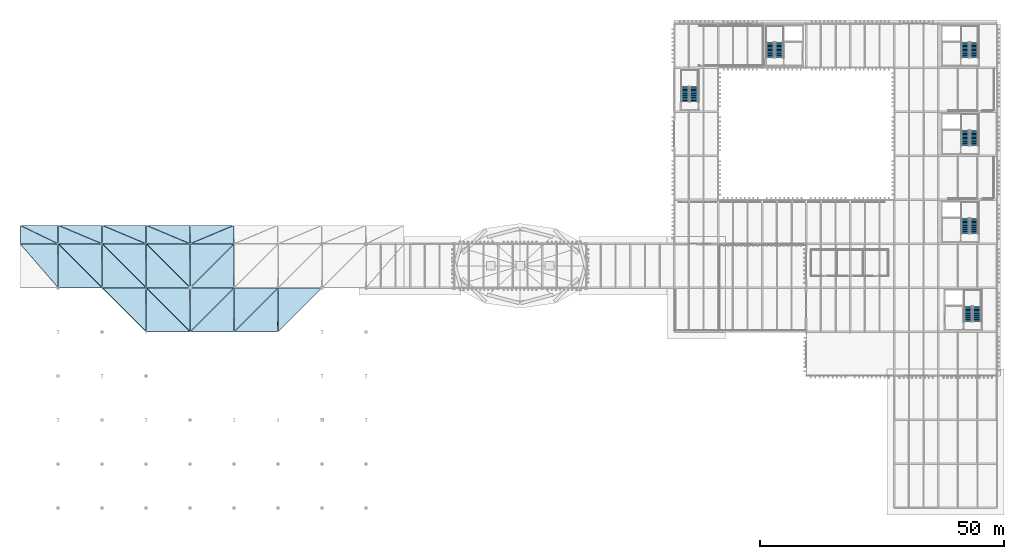
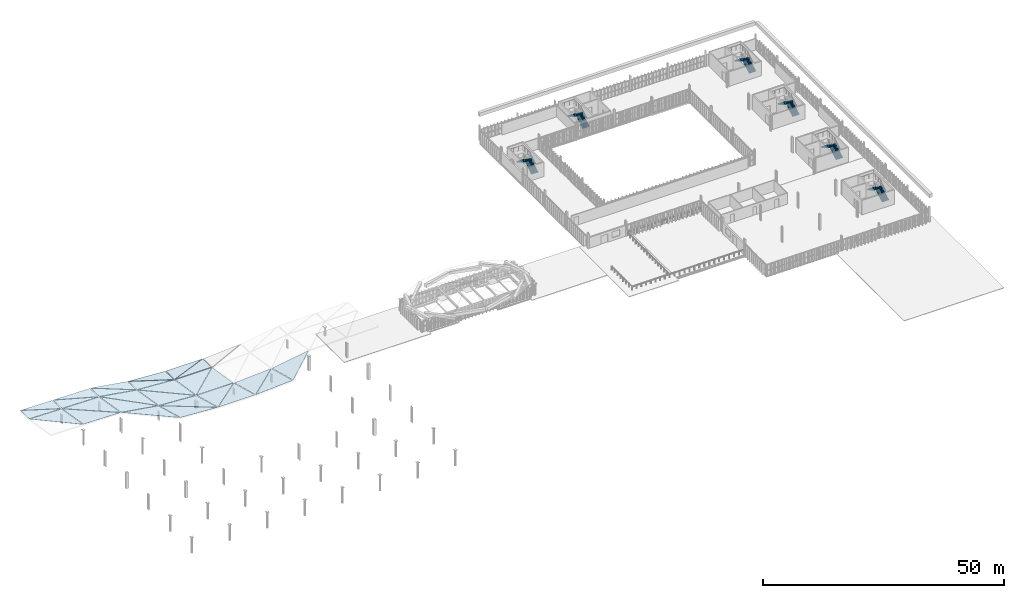
# One storey, part 92 of 102: 27 roofs, 12 stair flights, 6 elements without a shape of their own.
"""IFC4 building model written with IfcOpenShell, lengths in metres."""

from ifc_helpers import new_model, si_unit, direction, frame, origin, place, context, subcontext, project, spatial, polyline, outline, extrude, material, layer, layer_set, type_object, element, aggregate, save


model = new_model("IFC4")

# Units and contexts
model_context = context("Model", 3, precision=1e-05, world=origin(), true_north=direction((0.0, 1.0)))
body_context = subcontext(model_context, "Body", "Model", "MODEL_VIEW")
ifc_project = project(units=[si_unit("LENGTHUNIT", "METRE"), si_unit("AREAUNIT", "SQUARE_METRE"), si_unit("VOLUMEUNIT", "CUBIC_METRE"), si_unit("PLANEANGLEUNIT", "RADIAN"), si_unit("MASSUNIT", "GRAM", prefix="KILO")], contexts=[model_context])

# Site, building, storey
site_placement = place(None, origin())
site = spatial("IfcSite", under=ifc_project, at=site_placement, CompositionType="ELEMENT")
building_placement = place(site_placement, origin())
building = spatial("IfcBuilding", under=site, at=building_placement, Name="Barlavento Convention Centre", CompositionType="ELEMENT")
storey_placement = place(building_placement, frame((0.0, 0.0, 22.800048828125)))
storey = spatial("IfcBuildingStorey", under=building, at=storey_placement, Name="L04", CompositionType="ELEMENT", Elevation=22.800048828125)

# Stair, stair flights
ifc_material_1 = material(Name="Concrete C40/50", Category="concrete")
stair_type_1 = type_object("IfcStairType", Name="ARC-STR-DOG-1600", PredefinedType="HALF_TURN_STAIR", material=ifc_material_1)
stair_1_placement = place(storey_placement, origin())
stair_1 = element("IfcStair", 1, at=stair_1_placement, inside=storey, type_object=stair_type_1, Name="L04 ST12", PredefinedType="HALF_TURN_STAIR")
stair_flight_type_1 = type_object("IfcStairFlightType", Name="ARC-FLT-STR-1600", PredefinedType="STRAIGHT", material=ifc_material_1)
stair_flight_1_placement = place(storey_placement, frame((130.050048828125, 83.070068359375, 0.0), z_axis=(0.0, 0.0, 1.0), x_axis=(0.0, 1.0, 0.0)))
stair_flight_1 = element("IfcStairFlight", 2, at=stair_flight_1_placement, type_object=stair_flight_type_1, Name="ST12 flight 1", NumberOfRisers=12, NumberOfTreads=11, PredefinedType="STRAIGHT", RiserHeight=0.166666667, TreadLength=0.28, context=body_context, shape_type="SweptSolid", body=[
    extrude(outline(polyline([(0.0, 0.0), (0.0, 0.166748046875), (0.280029296875, 0.166748046875), (0.280029296875, 0.333251953125), (0.56005859375, 0.333251953125), (0.56005859375, 0.5), (0.840087890625, 0.5), (0.840087890625, 0.666748046875), (1.1201171875, 0.666748046875), (1.1201171875, 0.833251953125), (1.39990234375, 0.833251953125), (1.39990234375, 1.0), (1.679931640625, 1.0), (1.679931640625, 1.166748046875), (1.9599609375, 1.166748046875), (1.9599609375, 1.333251953125), (2.239990234375, 1.333251953125), (2.239990234375, 1.5), (2.52001953125, 1.5), (2.52001953125, 1.666748046875), (2.800048828125, 1.666748046875), (2.800048828125, 1.833251953125), (3.080078125, 1.833251953125), (3.080078125, 2.0), (3.080078125, 1.658935546875), (0.29296875, 0.0), (0.0, 0.0)])), frame((0.0, 0.800048828125, 0.0), z_axis=(0.0, -1.0, 0.0), x_axis=(1.0, 0.0, 0.0)), (0.0, 0.0, 1.0), 1.60009765625),
])
stair_flight_2_placement = place(storey_placement, frame((128.25, 86.14990234375, 2.0), z_axis=(0.0, 0.0, 1.0), x_axis=(0.0, -1.0, 0.0)))
stair_flight_2 = element("IfcStairFlight", 3, at=stair_flight_2_placement, type_object=stair_flight_type_1, Name="ST12 flight 2", NumberOfRisers=12, NumberOfTreads=11, PredefinedType="STRAIGHT", RiserHeight=0.166666667, TreadLength=0.28, context=body_context, shape_type="SweptSolid", body=[
    extrude(outline(polyline([(0.0, 0.0), (0.0, 0.166748046875), (0.280029296875, 0.166748046875), (0.280029296875, 0.333251953125), (0.56005859375, 0.333251953125), (0.56005859375, 0.5), (0.840087890625, 0.5), (0.840087890625, 0.666748046875), (1.1201171875, 0.666748046875), (1.1201171875, 0.833251953125), (1.39990234375, 0.833251953125), (1.39990234375, 1.0), (1.679931640625, 1.0), (1.679931640625, 1.166748046875), (1.9599609375, 1.166748046875), (1.9599609375, 1.333251953125), (2.239990234375, 1.333251953125), (2.239990234375, 1.5), (2.52001953125, 1.5), (2.52001953125, 1.666748046875), (2.800048828125, 1.666748046875), (2.800048828125, 1.833251953125), (3.080078125, 1.833251953125), (3.080078125, 2.0), (3.080078125, 1.658935546875), (0.29296875, 0.0), (0.0, 0.0)])), frame((0.0, 0.800048828125, 0.0), z_axis=(0.0, -1.0, 0.0), x_axis=(1.0, 0.0, 0.0)), (0.0, 0.0, 1.0), 1.60009765625),
])
aggregate(stair_1, [stair_flight_1, stair_flight_2])

stair_type_2 = type_object("IfcStairType", Name="ARC-STR-DOG-1620", PredefinedType="HALF_TURN_STAIR", material=ifc_material_1)
stair_2_placement = place(storey_placement, origin())
stair_2 = element("IfcStair", 4, at=stair_2_placement, inside=storey, type_object=stair_type_2, Name="L04 ST05", PredefinedType="HALF_TURN_STAIR")
stair_flight_type_2 = type_object("IfcStairFlightType", Name="ARC-FLT-STR-1620", PredefinedType="STRAIGHT", material=ifc_material_1)
stair_flight_3_placement = place(storey_placement, frame((187.340087890625, 56.090087890625, 0.0), z_axis=(0.0, 0.0, 1.0), x_axis=(0.0, 1.0, 0.0)))
stair_flight_3 = element("IfcStairFlight", 5, at=stair_flight_3_placement, type_object=stair_flight_type_2, Name="ST05 flight 1", NumberOfRisers=12, NumberOfTreads=11, PredefinedType="STRAIGHT", RiserHeight=0.166666667, TreadLength=0.28, context=body_context, shape_type="SweptSolid", body=[
    extrude(outline(polyline([(0.0, 0.0), (0.0, 0.166748046875), (0.280029296875, 0.166748046875), (0.280029296875, 0.333251953125), (0.56005859375, 0.333251953125), (0.56005859375, 0.5), (0.840087890625, 0.5), (0.840087890625, 0.666748046875), (1.1201171875, 0.666748046875), (1.1201171875, 0.833251953125), (1.39990234375, 0.833251953125), (1.39990234375, 1.0), (1.679931640625, 1.0), (1.679931640625, 1.166748046875), (1.9599609375, 1.166748046875), (1.9599609375, 1.333251953125), (2.239990234375, 1.333251953125), (2.239990234375, 1.5), (2.52001953125, 1.5), (2.52001953125, 1.666748046875), (2.800048828125, 1.666748046875), (2.800048828125, 1.833251953125), (3.080078125, 1.833251953125), (3.080078125, 2.0), (3.080078125, 1.658935546875), (0.29296875, 0.0), (0.0, 0.0)])), frame((0.0, 0.81005859375, 0.0), z_axis=(0.0, -1.0, 0.0), x_axis=(1.0, 0.0, 0.0)), (0.0, 0.0, 1.0), 1.6201171875),
])
stair_flight_4_placement = place(storey_placement, frame((185.52001953125, 59.169921875, 2.0), z_axis=(0.0, 0.0, 1.0), x_axis=(0.0, -1.0, 0.0)))
stair_flight_4 = element("IfcStairFlight", 6, at=stair_flight_4_placement, type_object=stair_flight_type_2, Name="ST05 flight 2", NumberOfRisers=12, NumberOfTreads=11, PredefinedType="STRAIGHT", RiserHeight=0.166666667, TreadLength=0.28, context=body_context, shape_type="SweptSolid", body=[
    extrude(outline(polyline([(0.0, 0.0), (0.0, 0.166748046875), (0.280029296875, 0.166748046875), (0.280029296875, 0.333251953125), (0.56005859375, 0.333251953125), (0.56005859375, 0.5), (0.840087890625, 0.5), (0.840087890625, 0.666748046875), (1.1201171875, 0.666748046875), (1.1201171875, 0.833251953125), (1.39990234375, 0.833251953125), (1.39990234375, 1.0), (1.679931640625, 1.0), (1.679931640625, 1.166748046875), (1.9599609375, 1.166748046875), (1.9599609375, 1.333251953125), (2.239990234375, 1.333251953125), (2.239990234375, 1.5), (2.52001953125, 1.5), (2.52001953125, 1.666748046875), (2.800048828125, 1.666748046875), (2.800048828125, 1.833251953125), (3.080078125, 1.833251953125), (3.080078125, 2.0), (3.080078125, 1.658935546875), (0.29296875, 0.0), (0.0, 0.0)])), frame((0.0, 0.81005859375, 0.0), z_axis=(0.0, -1.0, 0.0), x_axis=(1.0, 0.0, 0.0)), (0.0, 0.0, 1.0), 1.6201171875),
])
aggregate(stair_2, [stair_flight_3, stair_flight_4])

stair_3_placement = place(storey_placement, origin())
stair_3 = element("IfcStair", 7, at=stair_3_placement, inside=storey, type_object=stair_type_2, Name="L04 ST06", PredefinedType="HALF_TURN_STAIR")
stair_flight_5_placement = place(storey_placement, frame((187.93994140625, 38.090087890625, 0.0), z_axis=(0.0, 0.0, 1.0), x_axis=(0.0, 1.0, 0.0)))
stair_flight_5 = element("IfcStairFlight", 8, at=stair_flight_5_placement, type_object=stair_flight_type_2, Name="ST06 flight 1", NumberOfRisers=12, NumberOfTreads=11, PredefinedType="STRAIGHT", RiserHeight=0.166666667, TreadLength=0.28, context=body_context, shape_type="SweptSolid", body=[
    extrude(outline(polyline([(0.0, 0.0), (0.0, 0.166748046875), (0.280029296875, 0.166748046875), (0.280029296875, 0.333251953125), (0.56005859375, 0.333251953125), (0.56005859375, 0.5), (0.840087890625, 0.5), (0.840087890625, 0.666748046875), (1.1201171875, 0.666748046875), (1.1201171875, 0.833251953125), (1.39990234375, 0.833251953125), (1.39990234375, 1.0), (1.679931640625, 1.0), (1.679931640625, 1.166748046875), (1.9599609375, 1.166748046875), (1.9599609375, 1.333251953125), (2.239990234375, 1.333251953125), (2.239990234375, 1.5), (2.52001953125, 1.5), (2.52001953125, 1.666748046875), (2.800048828125, 1.666748046875), (2.800048828125, 1.833251953125), (3.080078125, 1.833251953125), (3.080078125, 2.0), (3.080078125, 1.658935546875), (0.29296875, 0.0), (0.0, 0.0)])), frame((0.0, 0.81005859375, 0.0), z_axis=(0.0, -1.0, 0.0), x_axis=(1.0, 0.0, 0.0)), (0.0, 0.0, 1.0), 1.6201171875),
])
stair_flight_6_placement = place(storey_placement, frame((186.1201171875, 41.169921875, 2.0), z_axis=(0.0, 0.0, 1.0), x_axis=(0.0, -1.0, 0.0)))
stair_flight_6 = element("IfcStairFlight", 9, at=stair_flight_6_placement, type_object=stair_flight_type_2, Name="ST06 flight 2", NumberOfRisers=12, NumberOfTreads=11, PredefinedType="STRAIGHT", RiserHeight=0.166666667, TreadLength=0.28, context=body_context, shape_type="SweptSolid", body=[
    extrude(outline(polyline([(0.0, 0.0), (0.0, 0.166748046875), (0.280029296875, 0.166748046875), (0.280029296875, 0.333251953125), (0.56005859375, 0.333251953125), (0.56005859375, 0.5), (0.840087890625, 0.5), (0.840087890625, 0.666748046875), (1.1201171875, 0.666748046875), (1.1201171875, 0.833251953125), (1.39990234375, 0.833251953125), (1.39990234375, 1.0), (1.679931640625, 1.0), (1.679931640625, 1.166748046875), (1.9599609375, 1.166748046875), (1.9599609375, 1.333251953125), (2.239990234375, 1.333251953125), (2.239990234375, 1.5), (2.52001953125, 1.5), (2.52001953125, 1.666748046875), (2.800048828125, 1.666748046875), (2.800048828125, 1.833251953125), (3.080078125, 1.833251953125), (3.080078125, 2.0), (3.080078125, 1.658935546875), (0.29296875, 0.0), (0.0, 0.0)])), frame((0.0, 0.81005859375, 0.0), z_axis=(0.0, -1.0, 0.0), x_axis=(1.0, 0.0, 0.0)), (0.0, 0.0, 1.0), 1.6201171875),
])
aggregate(stair_3, [stair_flight_5, stair_flight_6])

stair_4_placement = place(storey_placement, origin())
stair_4 = element("IfcStair", 10, at=stair_4_placement, inside=storey, type_object=stair_type_2, Name="L04 ST07", PredefinedType="HALF_TURN_STAIR")
stair_flight_7_placement = place(storey_placement, frame((187.340087890625, 74.090087890625, 0.0), z_axis=(0.0, 0.0, 1.0), x_axis=(0.0, 1.0, 0.0)))
stair_flight_7 = element("IfcStairFlight", 11, at=stair_flight_7_placement, type_object=stair_flight_type_2, Name="ST07 flight 1", NumberOfRisers=12, NumberOfTreads=11, PredefinedType="STRAIGHT", RiserHeight=0.166666667, TreadLength=0.28, context=body_context, shape_type="SweptSolid", body=[
    extrude(outline(polyline([(0.0, 0.0), (0.0, 0.166748046875), (0.280029296875, 0.166748046875), (0.280029296875, 0.333251953125), (0.56005859375, 0.333251953125), (0.56005859375, 0.5), (0.840087890625, 0.5), (0.840087890625, 0.666748046875), (1.1201171875, 0.666748046875), (1.1201171875, 0.833251953125), (1.39990234375, 0.833251953125), (1.39990234375, 1.0), (1.679931640625, 1.0), (1.679931640625, 1.166748046875), (1.9599609375, 1.166748046875), (1.9599609375, 1.333251953125), (2.239990234375, 1.333251953125), (2.239990234375, 1.5), (2.52001953125, 1.5), (2.52001953125, 1.666748046875), (2.800048828125, 1.666748046875), (2.800048828125, 1.833251953125), (3.080078125, 1.833251953125), (3.080078125, 2.0), (3.080078125, 1.658935546875), (0.29296875, 0.0), (0.0, 0.0)])), frame((0.0, 0.81005859375, 0.0), z_axis=(0.0, -1.0, 0.0), x_axis=(1.0, 0.0, 0.0)), (0.0, 0.0, 1.0), 1.6201171875),
])
stair_flight_8_placement = place(storey_placement, frame((185.52001953125, 77.169921875, 2.0), z_axis=(0.0, 0.0, 1.0), x_axis=(0.0, -1.0, 0.0)))
stair_flight_8 = element("IfcStairFlight", 12, at=stair_flight_8_placement, type_object=stair_flight_type_2, Name="ST07 flight 2", NumberOfRisers=12, NumberOfTreads=11, PredefinedType="STRAIGHT", RiserHeight=0.166666667, TreadLength=0.28, context=body_context, shape_type="SweptSolid", body=[
    extrude(outline(polyline([(0.0, 0.0), (0.0, 0.166748046875), (0.280029296875, 0.166748046875), (0.280029296875, 0.333251953125), (0.56005859375, 0.333251953125), (0.56005859375, 0.5), (0.840087890625, 0.5), (0.840087890625, 0.666748046875), (1.1201171875, 0.666748046875), (1.1201171875, 0.833251953125), (1.39990234375, 0.833251953125), (1.39990234375, 1.0), (1.679931640625, 1.0), (1.679931640625, 1.166748046875), (1.9599609375, 1.166748046875), (1.9599609375, 1.333251953125), (2.239990234375, 1.333251953125), (2.239990234375, 1.5), (2.52001953125, 1.5), (2.52001953125, 1.666748046875), (2.800048828125, 1.666748046875), (2.800048828125, 1.833251953125), (3.080078125, 1.833251953125), (3.080078125, 2.0), (3.080078125, 1.658935546875), (0.29296875, 0.0), (0.0, 0.0)])), frame((0.0, 0.81005859375, 0.0), z_axis=(0.0, -1.0, 0.0), x_axis=(1.0, 0.0, 0.0)), (0.0, 0.0, 1.0), 1.6201171875),
])
aggregate(stair_4, [stair_flight_7, stair_flight_8])

stair_5_placement = place(storey_placement, origin())
stair_5 = element("IfcStair", 13, at=stair_5_placement, inside=storey, type_object=stair_type_2, Name="L04 ST08", PredefinedType="HALF_TURN_STAIR")
stair_flight_9_placement = place(storey_placement, frame((187.340087890625, 92.090087890625, 0.0), z_axis=(0.0, 0.0, 1.0), x_axis=(0.0, 1.0, 0.0)))
stair_flight_9 = element("IfcStairFlight", 14, at=stair_flight_9_placement, type_object=stair_flight_type_2, Name="ST08 flight 1", NumberOfRisers=12, NumberOfTreads=11, PredefinedType="STRAIGHT", RiserHeight=0.166666667, TreadLength=0.28, context=body_context, shape_type="SweptSolid", body=[
    extrude(outline(polyline([(0.0, 0.0), (0.0, 0.166748046875), (0.280029296875, 0.166748046875), (0.280029296875, 0.333251953125), (0.56005859375, 0.333251953125), (0.56005859375, 0.5), (0.840087890625, 0.5), (0.840087890625, 0.666748046875), (1.1201171875, 0.666748046875), (1.1201171875, 0.833251953125), (1.39990234375, 0.833251953125), (1.39990234375, 1.0), (1.679931640625, 1.0), (1.679931640625, 1.166748046875), (1.9599609375, 1.166748046875), (1.9599609375, 1.333251953125), (2.239990234375, 1.333251953125), (2.239990234375, 1.5), (2.52001953125, 1.5), (2.52001953125, 1.666748046875), (2.800048828125, 1.666748046875), (2.800048828125, 1.833251953125), (3.080078125, 1.833251953125), (3.080078125, 2.0), (3.080078125, 1.658935546875), (0.29296875, 0.0), (0.0, 0.0)])), frame((0.0, 0.81005859375, 0.0), z_axis=(0.0, -1.0, 0.0), x_axis=(1.0, 0.0, 0.0)), (0.0, 0.0, 1.0), 1.6201171875),
])
stair_flight_10_placement = place(storey_placement, frame((185.52001953125, 95.169921875, 2.0), z_axis=(0.0, 0.0, 1.0), x_axis=(0.0, -1.0, 0.0)))
stair_flight_10 = element("IfcStairFlight", 15, at=stair_flight_10_placement, type_object=stair_flight_type_2, Name="ST08 flight 2", NumberOfRisers=12, NumberOfTreads=11, PredefinedType="STRAIGHT", RiserHeight=0.166666667, TreadLength=0.28, context=body_context, shape_type="SweptSolid", body=[
    extrude(outline(polyline([(0.0, 0.0), (0.0, 0.166748046875), (0.280029296875, 0.166748046875), (0.280029296875, 0.333251953125), (0.56005859375, 0.333251953125), (0.56005859375, 0.5), (0.840087890625, 0.5), (0.840087890625, 0.666748046875), (1.1201171875, 0.666748046875), (1.1201171875, 0.833251953125), (1.39990234375, 0.833251953125), (1.39990234375, 1.0), (1.679931640625, 1.0), (1.679931640625, 1.166748046875), (1.9599609375, 1.166748046875), (1.9599609375, 1.333251953125), (2.239990234375, 1.333251953125), (2.239990234375, 1.5), (2.52001953125, 1.5), (2.52001953125, 1.666748046875), (2.800048828125, 1.666748046875), (2.800048828125, 1.833251953125), (3.080078125, 1.833251953125), (3.080078125, 2.0), (3.080078125, 1.658935546875), (0.29296875, 0.0), (0.0, 0.0)])), frame((0.0, 0.81005859375, 0.0), z_axis=(0.0, -1.0, 0.0), x_axis=(1.0, 0.0, 0.0)), (0.0, 0.0, 1.0), 1.6201171875),
])
aggregate(stair_5, [stair_flight_9, stair_flight_10])

stair_6_placement = place(storey_placement, origin())
stair_6 = element("IfcStair", 16, at=stair_6_placement, inside=storey, type_object=stair_type_2, Name="L04 ST09", PredefinedType="HALF_TURN_STAIR")
stair_flight_11_placement = place(storey_placement, frame((147.47998046875, 92.090087890625, 0.0), z_axis=(0.0, 0.0, 1.0), x_axis=(0.0, 1.0, 0.0)))
stair_flight_11 = element("IfcStairFlight", 17, at=stair_flight_11_placement, type_object=stair_flight_type_2, Name="ST09 flight 1", NumberOfRisers=12, NumberOfTreads=11, PredefinedType="STRAIGHT", RiserHeight=0.166666667, TreadLength=0.28, context=body_context, shape_type="SweptSolid", body=[
    extrude(outline(polyline([(0.0, 0.0), (0.0, 0.166748046875), (0.280029296875, 0.166748046875), (0.280029296875, 0.333251953125), (0.56005859375, 0.333251953125), (0.56005859375, 0.5), (0.840087890625, 0.5), (0.840087890625, 0.666748046875), (1.1201171875, 0.666748046875), (1.1201171875, 0.833251953125), (1.39990234375, 0.833251953125), (1.39990234375, 1.0), (1.679931640625, 1.0), (1.679931640625, 1.166748046875), (1.9599609375, 1.166748046875), (1.9599609375, 1.333251953125), (2.239990234375, 1.333251953125), (2.239990234375, 1.5), (2.52001953125, 1.5), (2.52001953125, 1.666748046875), (2.800048828125, 1.666748046875), (2.800048828125, 1.833251953125), (3.080078125, 1.833251953125), (3.080078125, 2.0), (3.080078125, 1.658935546875), (0.29296875, 0.0), (0.0, 0.0)])), frame((0.0, 0.81005859375, 0.0), z_axis=(0.0, -1.0, 0.0), x_axis=(1.0, 0.0, 0.0)), (0.0, 0.0, 1.0), 1.6201171875),
])
stair_flight_12_placement = place(storey_placement, frame((145.659912109375, 95.169921875, 2.0), z_axis=(0.0, 0.0, 1.0), x_axis=(0.0, -1.0, 0.0)))
stair_flight_12 = element("IfcStairFlight", 18, at=stair_flight_12_placement, type_object=stair_flight_type_2, Name="ST09 flight 2", NumberOfRisers=12, NumberOfTreads=11, PredefinedType="STRAIGHT", RiserHeight=0.166666667, TreadLength=0.28, context=body_context, shape_type="SweptSolid", body=[
    extrude(outline(polyline([(0.0, 0.0), (0.0, 0.166748046875), (0.280029296875, 0.166748046875), (0.280029296875, 0.333251953125), (0.56005859375, 0.333251953125), (0.56005859375, 0.5), (0.840087890625, 0.5), (0.840087890625, 0.666748046875), (1.1201171875, 0.666748046875), (1.1201171875, 0.833251953125), (1.39990234375, 0.833251953125), (1.39990234375, 1.0), (1.679931640625, 1.0), (1.679931640625, 1.166748046875), (1.9599609375, 1.166748046875), (1.9599609375, 1.333251953125), (2.239990234375, 1.333251953125), (2.239990234375, 1.5), (2.52001953125, 1.5), (2.52001953125, 1.666748046875), (2.800048828125, 1.666748046875), (2.800048828125, 1.833251953125), (3.080078125, 1.833251953125), (3.080078125, 2.0), (3.080078125, 1.658935546875), (0.29296875, 0.0), (0.0, 0.0)])), frame((0.0, 0.81005859375, 0.0), z_axis=(0.0, -1.0, 0.0), x_axis=(1.0, 0.0, 0.0)), (0.0, 0.0, 1.0), 1.6201171875),
])
aggregate(stair_6, [stair_flight_11, stair_flight_12])

# Roofs
ifc_material_2 = material(Name="PVDF standing-seam aluminium roof deck", Category="aluminium")
ifc_layer = layer(ifc_material_2, 0.050048828125)
ifc_layer_set = layer_set([ifc_layer], Name="ARC-ROOF-CONG-FREE")
roof_type = type_object("IfcRoofType", Name="ARC-ROOF-CONG-FREE", PredefinedType="FREEFORM", material=ifc_layer_set)
roof_1_placement = place(storey_placement, frame((-0.047607421875, 45.110107421875, 5.107666015625), z_axis=(0.014691581017, 0.16001129237, 0.987005847886), x_axis=(-0.00347835945, 0.987114589986, -0.159977146031)))
element("IfcRoof", 19, at=roof_1_placement, inside=storey, type_object=roof_type, Name="Congress standing-seam roof deck 014", PredefinedType="FREEFORM", context=body_context, shape_type="SweptSolid", body=[
    extrude(outline(polyline([(0.0, 0.0), (8.913931933423873, 0.0), (8.953452167479506, 7.6181624723609005), (0.0, 0.0)])), origin(), (0.0, 0.0, -1.0), 0.050048828125),
])
roof_2_placement = place(storey_placement, frame((-7.692138671875, 54.052490234375, 3.781494140625), z_axis=(0.014383338491, 0.036840317376, 0.999217649258), x_axis=(0.999893011435, -0.003190222312, -0.014275439236)))
element("IfcRoof", 20, at=roof_2_placement, inside=storey, type_object=roof_type, Name="Congress standing-seam roof deck 015", PredefinedType="FREEFORM", context=body_context, shape_type="SweptSolid", body=[
    extrude(outline(polyline([(0.0, 0.0), (7.5762500252445975, 3.469446951953614e-18), (-0.03173486201492286, 3.6662245485418015), (0.0, 0.0)])), origin(), (0.0, 0.0, -1.0), 0.050048828125),
])
roof_3_placement = place(storey_placement, frame((-0.0859375, 54.083740234375, 3.6689453125), z_axis=(0.014607127983, 0.036245493428, 0.999236156281), x_axis=(-0.005993570549, 0.999327996244, -0.03616120898)))
element("IfcRoof", 21, at=roof_3_placement, inside=storey, type_object=roof_type, Name="Congress standing-seam roof deck 016", PredefinedType="FREEFORM", context=body_context, shape_type="SweptSolid", body=[
    extrude(outline(polyline([(0.0, 0.0), (3.6660378099277335, 8.673617379884035e-19), (3.7316226312557292, 7.575990738171782), (0.0, 0.0)])), origin(), (0.0, 0.0, -1.0), 0.050048828125),
])
roof_4_placement = place(storey_placement, frame((0.0849609375, 45.0849609375, 5.112060546875), z_axis=(0.014001681642, 0.16039276416, 0.986953957445), x_axis=(0.999901102112, -0.0035477143, -0.013608810321)))
element("IfcRoof", 22, at=roof_4_placement, inside=storey, type_object=roof_type, Name="Congress standing-seam roof deck 029", PredefinedType="FREEFORM", context=body_context, shape_type="SweptSolid", body=[
    extrude(outline(polyline([(0.0, 0.0), (8.808488328391684, -3.469446951953614e-18), (-0.04302086055904624, 8.923045700621094), (0.0, 0.0)])), origin(), (0.0, 0.0, -1.0), 0.050048828125),
])
roof_5_placement = place(storey_placement, frame((8.9462890625, 45.107421875, 4.97802734375), z_axis=(0.014630284151, 0.159993649674, 0.987009618418), x_axis=(-0.003502356934, 0.987117412086, -0.15995920809)))
element("IfcRoof", 23, at=roof_5_placement, inside=storey, type_object=roof_type, Name="Congress standing-seam roof deck 030", PredefinedType="FREEFORM", context=body_context, shape_type="SweptSolid", body=[
    extrude(outline(polyline([(0.0, 0.0), (8.922562888328109, 0.0), (8.964184720490154, 8.808468199174245), (0.0, 0.0)])), origin(), (0.0, 0.0, -1.0), 0.050048828125),
])
roof_6_placement = place(storey_placement, frame((0.110595703125, 54.046630859375, 3.6689453125), z_axis=(0.01441358641, 0.03690470087, 0.99921483755), x_axis=(0.999894225372, -0.002476776678, -0.014331909994)))
element("IfcRoof", 24, at=roof_6_placement, inside=storey, type_object=roof_type, Name="Congress standing-seam roof deck 031", PredefinedType="FREEFORM", context=body_context, shape_type="SweptSolid", body=[
    extrude(outline(polyline([(0.0, 0.0), (8.772900606543967, 5.204170427930421e-18), (-0.025959587830885807, 3.678478202866662), (0.0, 0.0)])), origin(), (0.0, 0.0, -1.0), 0.050048828125),
])
roof_7_placement = place(storey_placement, frame((8.908203125, 54.077392578125, 3.5390625), z_axis=(0.014607057612, 0.036309120282, 0.999233847331), x_axis=(-0.005110474832, 0.999330124007, -0.036237912447)))
element("IfcRoof", 25, at=roof_7_placement, inside=storey, type_object=roof_type, Name="Congress standing-seam roof deck 032", PredefinedType="FREEFORM", context=body_context, shape_type="SweptSolid", body=[
    extrude(outline(polyline([(0.0, 0.0), (3.678489522445377, -3.469446951953614e-18), (3.7404142176262356, 8.772706711987052), (0.0, 0.0)])), origin(), (0.0, 0.0, -1.0), 0.050048828125),
])
roof_8_placement = place(storey_placement, frame((17.9462890625, 36.107421875, 5.98486328125), z_axis=(0.151636992477, 0.256240801331, 0.954644894317), x_axis=(-0.003427231622, 0.965943812461, -0.258729212213)))
element("IfcRoof", 26, at=roof_8_placement, inside=storey, type_object=roof_type, Name="Congress standing-seam roof deck 044", PredefinedType="FREEFORM", context=body_context, shape_type="SweptSolid", body=[
    extrude(outline(polyline([(0.0, 0.0), (9.118146494529512, -1.1102230246251565e-16), (8.818722672074193, 8.911749567240808), (0.0, 0.0)])), origin(), (0.0, 0.0, -1.0), 0.050048828125),
])
roof_9_placement = place(storey_placement, frame((9.0849609375, 45.0849609375, 4.9814453125), z_axis=(0.154207433603, 0.158974979381, 0.975165126198), x_axis=(0.987808351237, -0.003504808431, -0.155635399391)))
element("IfcRoof", 27, at=roof_9_placement, inside=storey, type_object=roof_type, Name="Congress standing-seam roof deck 045", PredefinedType="FREEFORM", context=body_context, shape_type="SweptSolid", body=[
    extrude(outline(polyline([(0.0, 0.0), (8.916321851771608, 2.7755575615628914e-17), (0.16096194773301603, 8.921697519037386), (0.0, 0.0)])), origin(), (0.0, 0.0, -1.0), 0.050048828125),
])
roof_10_placement = place(storey_placement, frame((17.9462890625, 45.107421875, 3.572265625), z_axis=(0.155149589518, 0.1580855212, 0.9751602806), x_axis=(-0.003502632468, 0.987195069536, -0.15947923454)))
element("IfcRoof", 28, at=roof_10_placement, inside=storey, type_object=roof_type, Name="Congress standing-seam roof deck 046", PredefinedType="FREEFORM", context=body_context, shape_type="SweptSolid", body=[
    extrude(outline(polyline([(0.0, 0.0), (8.921860997177333, 0.0), (8.760889365211595, 8.91620277976198), (0.0, 0.0)])), origin(), (0.0, 0.0, -1.0), 0.050048828125),
])
roof_11_placement = place(storey_placement, frame((9.110595703125, 54.046630859375, 3.538330078125), z_axis=(0.156717736601, 0.037114647716, 0.986945821188), x_axis=(0.987637571496, -0.002446416473, -0.156735581204)))
element("IfcRoof", 29, at=roof_11_placement, inside=storey, type_object=roof_type, Name="Congress standing-seam roof deck 047", PredefinedType="FREEFORM", context=body_context, shape_type="SweptSolid", body=[
    extrude(outline(polyline([(0.0, 0.0), (8.881772939197491, -6.938893903907228e-18), (-0.006360418419692242, 3.678555318694007), (0.0, 0.0)])), origin(), (0.0, 0.0, -1.0), 0.050048828125),
])
roof_12_placement = place(storey_placement, frame((17.908203125, 54.077392578125, 2.138671875), z_axis=(0.156989779674, 0.035870738078, 0.98694857983), x_axis=(-0.005110608679, 0.999356297126, -0.035508774587)))
element("IfcRoof", 30, at=roof_12_placement, inside=storey, type_object=roof_type, Name="Congress standing-seam roof deck 048", PredefinedType="FREEFORM", context=body_context, shape_type="SweptSolid", body=[
    extrude(outline(polyline([(0.0, 0.0), (3.6783931828869783, -6.938893903907228e-18), (3.6954197355811, 8.882139602264697), (0.0, 0.0)])), origin(), (0.0, 0.0, -1.0), 0.050048828125),
])
roof_13_placement = place(storey_placement, frame((18.0849609375, 36.0849609375, 5.970947265625), z_axis=(0.058195880711, 0.258534760938, 0.964247383639), x_axis=(0.998234073455, -0.003541799573, -0.059297472542)))
element("IfcRoof", 31, at=roof_13_placement, inside=storey, type_object=roof_type, Name="Congress standing-seam roof deck 059", PredefinedType="FREEFORM", context=body_context, shape_type="SweptSolid", body=[
    extrude(outline(polyline([(0.0, 0.0), (8.823198307605892, 0.0), (0.07752982160909958, 9.117943227483405), (0.0, 0.0)])), origin(), (0.0, 0.0, -1.0), 0.050048828125),
])
roof_14_placement = place(storey_placement, frame((26.9462890625, 36.107421875, 5.433349609375), z_axis=(0.057871035019, 0.258962434107, 0.964152166946), x_axis=(-0.003426780164, 0.965816571963, -0.259203793374)))
element("IfcRoof", 32, at=roof_14_placement, inside=storey, type_object=roof_type, Name="Congress standing-seam roof deck 060", PredefinedType="FREEFORM", context=body_context, shape_type="SweptSolid", body=[
    extrude(outline(polyline([(0.0, 0.0), (9.119347755235092, -2.7755575615628914e-17), (9.044856973678302, 8.822710609318506), (0.0, 0.0)])), origin(), (0.0, 0.0, -1.0), 0.050048828125),
])
roof_15_placement = place(storey_placement, frame((18.0849609375, 45.0849609375, 3.557861328125), z_axis=(0.059127673889, 0.159858130938, 0.98536759443), x_axis=(0.998232435195, -0.003541793761, -0.059325045489)))
element("IfcRoof", 33, at=roof_15_placement, inside=storey, type_object=roof_type, Name="Congress standing-seam roof deck 061", PredefinedType="FREEFORM", context=body_context, shape_type="SweptSolid", body=[
    extrude(outline(polyline([(0.0, 0.0), (8.823212787893743, -1.3877787807814457e-17), (0.022267428582215823, 8.922496053229295), (0.0, 0.0)])), origin(), (0.0, 0.0, -1.0), 0.050048828125),
])
roof_16_placement = place(storey_placement, frame((26.9462890625, 45.107421875, 3.020751953125), z_axis=(0.059399517545, 0.159909716275, 0.985342874311), x_axis=(-0.003502341603, 0.9871130913, -0.159985869964)))
element("IfcRoof", 34, at=roof_16_placement, inside=storey, type_object=roof_type, Name="Congress standing-seam roof deck 062", PredefinedType="FREEFORM", context=body_context, shape_type="SweptSolid", body=[
    extrude(outline(polyline([(0.0, 0.0), (8.922601944123778, 1.3877787807814457e-17), (8.900163318017771, 8.823329429197496), (0.0, 0.0)])), origin(), (0.0, 0.0, -1.0), 0.050048828125),
])
roof_17_placement = place(storey_placement, frame((18.110595703125, 54.046630859375, 2.111328125), z_axis=(0.059920294393, 0.036346966751, 0.997541205328), x_axis=(0.998203122605, -0.002472587752, -0.059869961848)))
element("IfcRoof", 35, at=roof_17_placement, inside=storey, type_object=roof_type, Name="Congress standing-seam roof deck 063", PredefinedType="FREEFORM", context=body_context, shape_type="SweptSolid", body=[
    extrude(outline(polyline([(0.0, 0.0), (8.787763189278712, 0.0), (-0.019902864982801752, 3.6784180165636813), (0.0, 0.0)])), origin(), (0.0, 0.0, -1.0), 0.050048828125),
])
roof_18_placement = place(storey_placement, frame((26.908203125, 54.077392578125, 1.581298828125), z_axis=(0.059975659417, 0.036479455843, 0.997533041848), x_axis=(-0.005110474832, 0.999330124007, -0.036237912447)))
element("IfcRoof", 36, at=roof_18_placement, inside=storey, type_object=roof_type, Name="Congress standing-seam roof deck 064", PredefinedType="FREEFORM", context=body_context, shape_type="SweptSolid", body=[
    extrude(outline(polyline([(0.0, 0.0), (3.678489522445377, 0.0), (3.7259491329460253, 8.787664279356013), (0.0, 0.0)])), origin(), (0.0, 0.0, -1.0), 0.050048828125),
])
roof_19_placement = place(storey_placement, frame((27.107421875, 36.0537109375, 5.44775390625), z_axis=(-9.528574e-06, 0.259230319688, 0.965815531695), x_axis=(0.999993261574, 0.003548041287, -0.000942448467)))
element("IfcRoof", 37, at=roof_19_placement, inside=storey, type_object=roof_type, Name="Congress standing-seam roof deck 075", PredefinedType="FREEFORM", context=body_context, shape_type="SweptSolid", body=[
    extrude(outline(polyline([(0.0, 0.0), (8.807676537374359, 8.673617379884035e-19), (8.872404077283646, 9.11918132676583), (0.0, 0.0)])), origin(), (0.0, 0.0, -1.0), 0.050048828125),
])
roof_20_placement = place(storey_placement, frame((27.0537109375, 36.107421875, 5.433349609375), z_axis=(-6.2978076e-05, 0.259205523202, 0.965822184864), x_axis=(0.69471389116, 0.69471389116, -0.186400694363)))
element("IfcRoof", 38, at=roof_20_placement, inside=storey, type_object=roof_type, Name="Congress standing-seam roof deck 076", PredefinedType="FREEFORM", context=body_context, shape_type="SweptSolid", body=[
    extrude(outline(polyline([(0.0, 0.0), (12.723032171910761, 1.6653345369377348e-16), (6.581092099212857, 6.312822685818871), (0.0, 0.0)])), origin(), (0.0, 0.0, -1.0), 0.050048828125),
])
roof_21_placement = place(storey_placement, frame((27.107421875, 45.0537109375, 3.034423828125), z_axis=(0.000333736717, 0.160412233427, 0.987050051409), x_axis=(0.999993287314, 0.003548041379, -0.000914729418)))
element("IfcRoof", 39, at=roof_21_placement, inside=storey, type_object=roof_type, Name="Congress standing-seam roof deck 077", PredefinedType="FREEFORM", context=body_context, shape_type="SweptSolid", body=[
    extrude(outline(polyline([(0.0, 0.0), (8.807676310668073, 2.168404344971009e-19), (8.871485231598164, 8.92299957419792), (0.0, 0.0)])), origin(), (0.0, 0.0, -1.0), 0.050048828125),
])
roof_22_placement = place(storey_placement, frame((27.0537109375, 45.107421875, 3.020751953125), z_axis=(-0.000321387845, 0.159987954054, 0.987118914451), x_axis=(0.702526644498, 0.702526644498, -0.113633742962)))
element("IfcRoof", 40, at=roof_22_placement, inside=storey, type_object=roof_type, Name="Congress standing-seam roof deck 078", PredefinedType="FREEFORM", context=body_context, shape_type="SweptSolid", body=[
    extrude(outline(polyline([(0.0, 0.0), (12.58154015469428, 6.938893903907228e-16), (6.371750764775121, 6.246088187407306), (0.0, 0.0)])), origin(), (0.0, 0.0, -1.0), 0.050048828125),
])
roof_23_placement = place(storey_placement, frame((27.117431640625, 54.02490234375, 1.585205078125), z_axis=(0.000103450849, 0.036834389269, 0.999321378269), x_axis=(0.999996913176, 0.00247703104, -0.000194822666)))
element("IfcRoof", 41, at=roof_23_placement, inside=storey, type_object=roof_type, Name="Congress standing-seam roof deck 079", PredefinedType="FREEFORM", context=body_context, shape_type="SweptSolid", body=[
    extrude(outline(polyline([(0.0, 0.0), (8.771999733870068, -9.75781955236954e-19), (8.799930531054097, 3.6784637635477884), (0.0, 0.0)])), origin(), (0.0, 0.0, -1.0), 0.050048828125),
])
roof_24_placement = place(storey_placement, frame((27.091796875, 54.077392578125, 1.581298828125), z_axis=(-8.9765018e-05, 0.036238843968, 0.999343153341), x_axis=(0.921681178286, 0.387696368104, -0.013976113626)))
element("IfcRoof", 42, at=roof_24_placement, inside=storey, type_object=roof_type, Name="Congress standing-seam roof deck 080", PredefinedType="FREEFORM", context=body_context, shape_type="SweptSolid", body=[
    extrude(outline(polyline([(0.0, 0.0), (9.537757406223415, 1.1709383462843448e-16), (1.4443712459253397, 3.3830573259530343), (0.0, 0.0)])), origin(), (0.0, 0.0, -1.0), 0.050048828125),
])
roof_25_placement = place(storey_placement, frame((36.107421875, 36.0537109375, 5.44775390625), z_axis=(-0.058195880711, 0.258534760938, 0.964247383639), x_axis=(0.998234073455, 0.003541799573, 0.059297472542)))
element("IfcRoof", 43, at=roof_25_placement, inside=storey, type_object=roof_type, Name="Congress standing-seam roof deck 091", PredefinedType="FREEFORM", context=body_context, shape_type="SweptSolid", body=[
    extrude(outline(polyline([(0.0, 0.0), (8.823198307605892, 0.0), (8.745668485996795, 9.117943227483407), (0.0, 0.0)])), origin(), (0.0, 0.0, -1.0), 0.050048828125),
])
roof_26_placement = place(storey_placement, frame((36.0537109375, 36.107421875, 5.433349609375), z_axis=(-0.057871035019, 0.258962434107, 0.964152166946), x_axis=(0.699540090768, 0.699540090768, -0.145901757413)))
element("IfcRoof", 44, at=roof_26_placement, inside=storey, type_object=roof_type, Name="Congress standing-seam roof deck 092", PredefinedType="FREEFORM", context=body_context, shape_type="SweptSolid", body=[
    extrude(outline(polyline([(0.0, 0.0), (12.635254653946564, 7.216449660063518e-16), (6.528020083360361, 6.36768853448055), (0.0, 0.0)])), origin(), (0.0, 0.0, -1.0), 0.050048828125),
])
roof_27_placement = place(storey_placement, frame((45.0537109375, 36.107421875, 5.98486328125), z_axis=(-0.151636992477, 0.256240801331, 0.954644894317), x_axis=(0.704993845402, 0.704993845402, -0.077248662709)))
element("IfcRoof", 45, at=roof_27_placement, inside=storey, type_object=roof_type, Name="Congress standing-seam roof deck 108", PredefinedType="FREEFORM", context=body_context, shape_type="SweptSolid", body=[
    extrude(outline(polyline([(0.0, 0.0), (12.537509717490632, 4.440892098500626e-16), (6.413586671555958, 6.481242280777707), (0.0, 0.0)])), origin(), (0.0, 0.0, -1.0), 0.050048828125),
])

save(model, "model.ifc")
